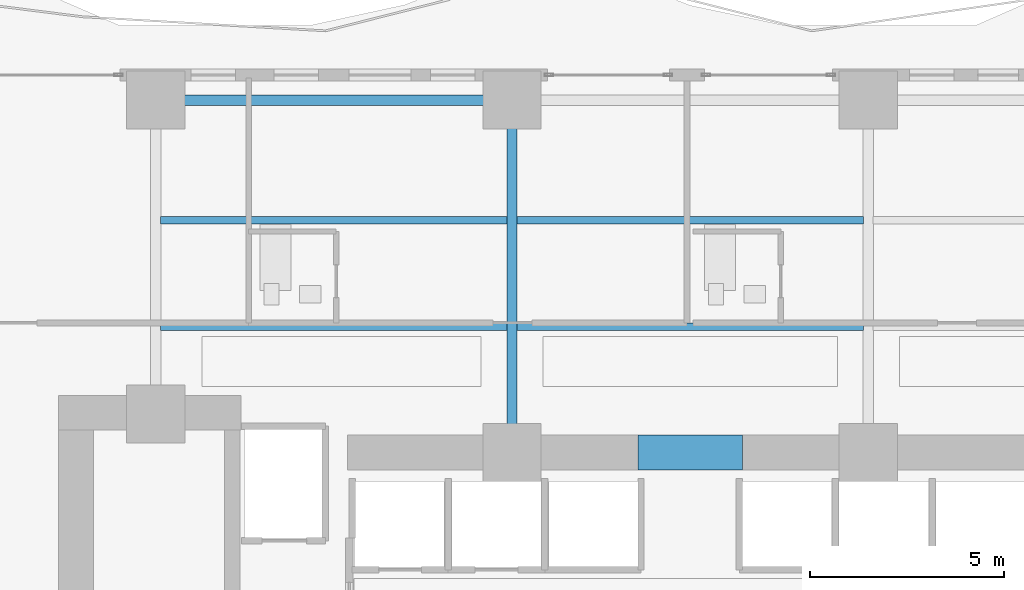
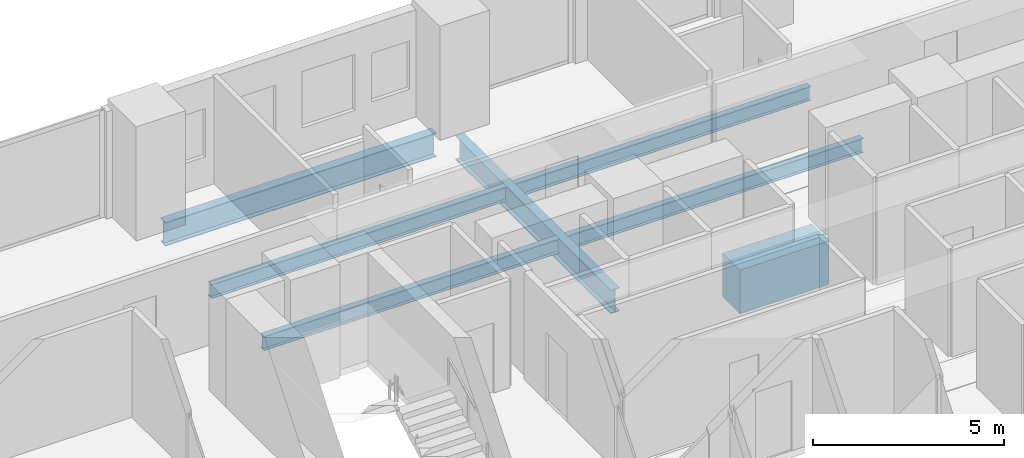
# One storey, part 14 of 28: 7 beams.
"""IFC4 building model written with IfcOpenShell, lengths in metres."""

from ifc_helpers import new_model, si_unit, direction, frame, origin, origin_2d, place, context, subcontext, project, spatial, rectangle, i_section, extrude, material, material_profile, profile_set, type_object, element, save


model = new_model("IFC4")

# Units and contexts
model_context = context("Model", 3, precision=1e-05, world=origin(), true_north=direction((0.0, 1.0)))
body_context = subcontext(model_context, "Body", "Model", "MODEL_VIEW")
ifc_project = project(units=[si_unit("LENGTHUNIT", "METRE"), si_unit("AREAUNIT", "SQUARE_METRE"), si_unit("VOLUMEUNIT", "CUBIC_METRE"), si_unit("PLANEANGLEUNIT", "RADIAN"), si_unit("MASSUNIT", "GRAM", prefix="KILO")], contexts=[model_context])

# Site, building, storey
site_placement = place(None, origin())
site = spatial("IfcSite", under=ifc_project, at=site_placement, CompositionType="ELEMENT")
building_placement = place(site_placement, origin())
building = spatial("IfcBuilding", under=site, at=building_placement, Name="Zuhayl Quay Hotel", CompositionType="ELEMENT")
storey_placement = place(building_placement, frame((0.0, 0.0, 75.050048828125)))
storey = spatial("IfcBuildingStorey", under=building, at=storey_placement, Name="L18", CompositionType="ELEMENT", Elevation=75.050048828125)

# Beams
ifc_material_1 = material(Name="Steel ASTM A992 Grade 50", Category="steel")
ifc_material_profile_1 = material_profile(ifc_material_1, i_section(OverallWidth=0.26708984375, OverallDepth=0.761962890625, WebThickness=0.014404296875, FlangeThickness=0.021484375, at=origin_2d()), Name="W30X116")
ifc_profile_set_1 = profile_set([ifc_material_profile_1], Name="Steel ASTM A992 Grade 50")
beam_type_1 = type_object("IfcBeamType", Name="BM_B1_W30X116", PredefinedType="BEAM", material=ifc_profile_set_1)
beam_1_placement = place(storey_placement, frame((-5.10009765625, 22.449951171875, -0.60107421875), z_axis=(-1.0, 0.0, 0.0), x_axis=(0.0, -1.0, 0.0)))
element("IfcBeam", 1, at=beam_1_placement, inside=storey, type_object=beam_type_1, Name="L18 Floor Beam RG_L18_09", PredefinedType="BEAM", context=body_context, shape_type="SweptSolid", body=[
    extrude(i_section(OverallWidth=0.26708984375, OverallDepth=0.761962890625, WebThickness=0.014404296875, FlangeThickness=0.021484375, at=origin_2d()), origin(), (0.0, 0.0, 1.0), 8.199951171875),
])
beam_2_placement = place(storey_placement, frame((-4.60009765625, 13.800048828125, -0.60107421875), z_axis=(0.0, 1.0, 0.0), x_axis=(-1.0, 0.0, 0.0)))
element("IfcBeam", 2, at=beam_2_placement, inside=storey, type_object=beam_type_1, Name="L18 Floor Beam FG_N_L18_2", PredefinedType="BEAM", context=body_context, shape_type="SweptSolid", body=[
    extrude(i_section(OverallWidth=0.26708984375, OverallDepth=0.761962890625, WebThickness=0.014404296875, FlangeThickness=0.021484375, at=origin_2d()), origin(), (0.0, 0.0, 1.0), 8.14990234375),
])
ifc_material_2 = material(Name="Concrete C60/75", Category="concrete")
ifc_material_profile_2 = material_profile(ifc_material_2, rectangle(XDim=0.89990234375, YDim=1.39990234375, at=origin_2d()), Name="RC900X1400")
ifc_profile_set_2 = profile_set([ifc_material_profile_2], Name="Concrete C60/75")
beam_type_2 = type_object("IfcBeamType", Name="BM_CB1_RC900", PredefinedType="T_BEAM", material=ifc_profile_set_2)
beam_3_placement = place(storey_placement, frame((-1.35009765625, 13.35009765625, -0.920166015625), z_axis=(1.0, 0.0, 0.0), x_axis=(0.0, 1.0, 0.0)))
element("IfcBeam", 3, at=beam_3_placement, inside=storey, type_object=beam_type_2, Name="L18 Core Coupling Beam North", PredefinedType="T_BEAM", context=body_context, shape_type="SweptSolid", body=[
    extrude(rectangle(XDim=0.89990234375, YDim=1.39990234375, at=origin_2d()), origin(), (0.0, 0.0, 1.0), 2.7001953125),
])
ifc_material_profile_3 = material_profile(ifc_material_1, i_section(OverallWidth=0.18994140625, OverallDepth=0.45703125, WebThickness=0.009033203125, FlangeThickness=0.014404296875, at=origin_2d()), Name="W18X50")
ifc_profile_set_3 = profile_set([ifc_material_profile_3], Name="Steel ASTM A992 Grade 50")
beam_type_3 = type_object("IfcBeamType", Name="BM_J2_W18X50", PredefinedType="JOIST", material=ifc_profile_set_3)
beam_4_placement = place(storey_placement, frame((-13.674560546875, 16.60009765625, -0.448486328125), z_axis=(1.0, 0.0, 0.0), x_axis=(0.0, 1.0, 0.0)))
element("IfcBeam", 4, at=beam_4_placement, inside=storey, type_object=beam_type_3, Name="L18 Floor Beam FJ_L18_1_1", PredefinedType="JOIST", context=body_context, shape_type="SweptSolid", body=[
    extrude(i_section(OverallWidth=0.18994140625, OverallDepth=0.45703125, WebThickness=0.009033203125, FlangeThickness=0.014404296875, at=origin_2d()), origin(), (0.0, 0.0, 1.0), 8.948974609375),
])
beam_5_placement = place(storey_placement, frame((-4.474609375, 16.60009765625, -0.448486328125), z_axis=(1.0, 0.0, 0.0), x_axis=(0.0, 1.0, 0.0)))
element("IfcBeam", 5, at=beam_5_placement, inside=storey, type_object=beam_type_3, Name="L18 Floor Beam FJ_L18_1_2", PredefinedType="JOIST", context=body_context, shape_type="SweptSolid", body=[
    extrude(i_section(OverallWidth=0.18994140625, OverallDepth=0.45703125, WebThickness=0.009033203125, FlangeThickness=0.014404296875, at=origin_2d()), origin(), (0.0, 0.0, 1.0), 8.94921875),
])
beam_6_placement = place(storey_placement, frame((-13.674560546875, 19.35009765625, -0.448486328125), z_axis=(1.0, 0.0, 0.0), x_axis=(0.0, 1.0, 0.0)))
element("IfcBeam", 6, at=beam_6_placement, inside=storey, type_object=beam_type_3, Name="L18 Floor Beam FJ_L18_2_1", PredefinedType="JOIST", context=body_context, shape_type="SweptSolid", body=[
    extrude(i_section(OverallWidth=0.18994140625, OverallDepth=0.45703125, WebThickness=0.009033203125, FlangeThickness=0.014404296875, at=origin_2d()), origin(), (0.0, 0.0, 1.0), 8.948974609375),
])
beam_7_placement = place(storey_placement, frame((-4.474609375, 19.35009765625, -0.448486328125), z_axis=(1.0, 0.0, 0.0), x_axis=(0.0, 1.0, 0.0)))
element("IfcBeam", 7, at=beam_7_placement, inside=storey, type_object=beam_type_3, Name="L18 Floor Beam FJ_L18_2_2", PredefinedType="JOIST", context=body_context, shape_type="SweptSolid", body=[
    extrude(i_section(OverallWidth=0.18994140625, OverallDepth=0.45703125, WebThickness=0.009033203125, FlangeThickness=0.014404296875, at=origin_2d()), origin(), (0.0, 0.0, 1.0), 8.94921875),
])

save(model, "model.ifc")
